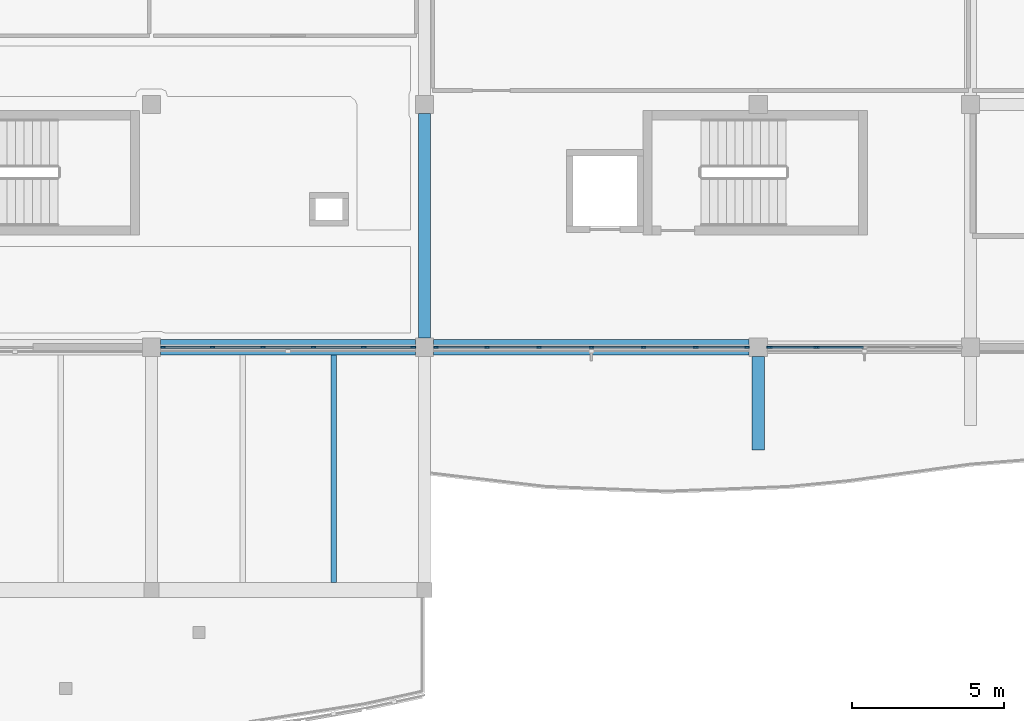
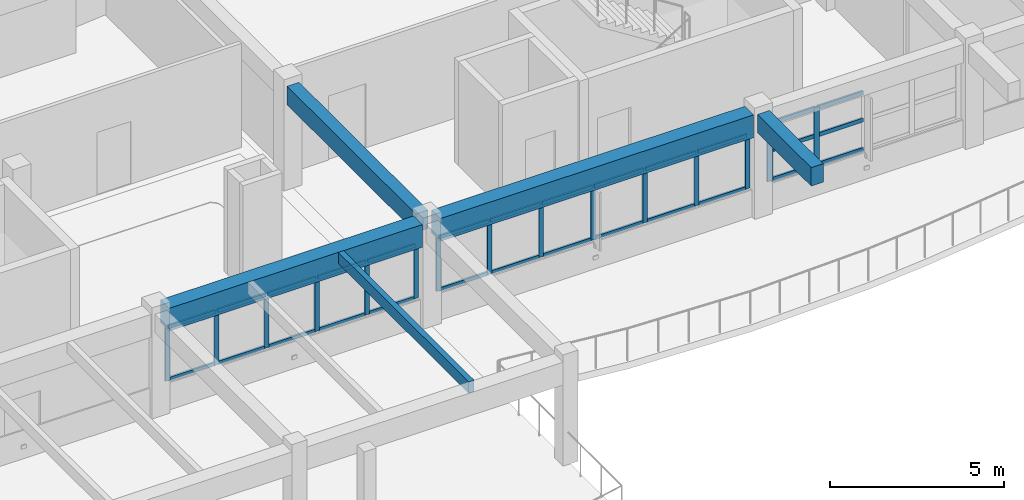
# One storey, part 25 of 89: 43 members, 5 beams, 3 elements without a shape of their own.
"""IFC4 building model written with IfcOpenShell, lengths in metres."""

from ifc_helpers import new_model, si_unit, direction, frame, origin, origin_2d, place, context, subcontext, project, spatial, rectangle, extrude, material, layer, layer_set, material_profile, profile_set, type_object, element, aggregate, save


model = new_model("IFC4")

# Units and contexts
model_context = context("Model", 3, precision=1e-05, world=origin(), true_north=direction((0.0, 1.0)))
body_context = subcontext(model_context, "Body", "Model", "MODEL_VIEW")
ifc_project = project(units=[si_unit("LENGTHUNIT", "METRE"), si_unit("AREAUNIT", "SQUARE_METRE"), si_unit("VOLUMEUNIT", "CUBIC_METRE"), si_unit("PLANEANGLEUNIT", "RADIAN"), si_unit("MASSUNIT", "GRAM", prefix="KILO")], contexts=[model_context])

# Site, building, storey
site_placement = place(None, origin())
site = spatial("IfcSite", under=ifc_project, at=site_placement, CompositionType="ELEMENT")
building_placement = place(site_placement, origin())
building = spatial("IfcBuilding", under=site, at=building_placement, Name="Tonlespit Floodbar School", CompositionType="ELEMENT")
storey_placement = place(building_placement, frame((0.0, 0.0, 4.5)))
storey = spatial("IfcBuildingStorey", under=building, at=storey_placement, Name="L01", CompositionType="ELEMENT", Elevation=4.5)

# Beams
ifc_material_1 = material(Name="Concrete C40/50", Category="concrete")
ifc_material_profile_1 = material_profile(ifc_material_1, rectangle(XDim=0.39990234375, YDim=0.64990234375, at=origin_2d()), Name="RC 400x650")
ifc_profile_set_1 = profile_set([ifc_material_profile_1], Name="Concrete C40/50")
beam_type_1 = type_object("IfcBeamType", Name="Beam_RC_400x650", PredefinedType="BEAM", material=ifc_profile_set_1)
beam_1_placement = place(storey_placement, frame((116.0, 104.300048828125, 3.320068359375), z_axis=(0.0, 1.0, 0.0), x_axis=(-1.0, 0.0, 0.0)))
element("IfcBeam", 1, at=beam_1_placement, inside=storey, type_object=beam_type_1, Name="L01 girder 0744", PredefinedType="BEAM", context=body_context, shape_type="SweptSolid", body=[
    extrude(rectangle(XDim=0.39990234375, YDim=0.64990234375, at=origin_2d()), origin(), (0.0, 0.0, 1.0), 7.39990234375),
])
beam_2_placement = place(storey_placement, frame((127.0, 103.699951171875, 3.3310546875), z_axis=(0.0, -1.0, 0.0), x_axis=(1.0, 0.0, 0.0)))
element("IfcBeam", 2, at=beam_2_placement, inside=storey, type_object=beam_type_1, Name="L01 V4 south court gallery rib", PredefinedType="BEAM", context=body_context, shape_type="SweptSolid", body=[
    extrude(rectangle(XDim=0.39990234375, YDim=0.64990234375, at=origin_2d()), origin(), (0.0, 0.0, 1.0), 3.08251953125),
])
ifc_material_profile_2 = material_profile(ifc_material_1, rectangle(XDim=0.5, YDim=0.800048828125, at=origin_2d()), Name="RC 500x800")
ifc_profile_set_2 = profile_set([ifc_material_profile_2], Name="Concrete C40/50")
beam_type_2 = type_object("IfcBeamType", Name="Beam_RC_500x800", PredefinedType="BEAM", material=ifc_profile_set_2)
beam_3_placement = place(storey_placement, frame((107.300048828125, 104.0, 3.2451171875), z_axis=(1.0, 0.0, 0.0), x_axis=(0.0, 1.0, 0.0)))
element("IfcBeam", 3, at=beam_3_placement, inside=storey, type_object=beam_type_2, Name="L01 girder 0636", PredefinedType="BEAM", context=body_context, shape_type="SweptSolid", body=[
    extrude(rectangle(XDim=0.5, YDim=0.800048828125, at=origin_2d()), origin(), (0.0, 0.0, 1.0), 8.39990234375),
])
beam_4_placement = place(storey_placement, frame((116.300048828125, 104.0, 3.2451171875), z_axis=(1.0, 0.0, 0.0), x_axis=(0.0, 1.0, 0.0)))
element("IfcBeam", 4, at=beam_4_placement, inside=storey, type_object=beam_type_2, Name="L01 girder 0637", PredefinedType="BEAM", context=body_context, shape_type="SweptSolid", body=[
    extrude(rectangle(XDim=0.5, YDim=0.800048828125, at=origin_2d()), origin(), (0.0, 0.0, 1.0), 10.39990234375),
])

# Curtain wall, members
ifc_material_2 = material(Name="Anodised Aluminium", Category="aluminium")
ifc_layer_1 = layer(ifc_material_2, 0.159912109375)
ifc_layer_set_1 = layer_set([ifc_layer_1], Name="Anodised Aluminium")
curtain_wall_type_1 = type_object("IfcCurtainWallType", Name="CurtainWall_8300x1900", PredefinedType="NOTDEFINED", material=ifc_layer_set_1)
curtain_wall_1_placement = place(storey_placement, origin())
curtain_wall_1 = element("IfcCurtainWall", 5, at=curtain_wall_1_placement, inside=storey, type_object=curtain_wall_type_1, Name="L01 unitised curtain wall 0076", PredefinedType="NOTDEFINED")
ifc_material_profile_3 = material_profile(ifc_material_2, rectangle(XDim=0.06494140625, YDim=0.14990234375, at=origin_2d()), Name="ALU M65x150")
ifc_profile_set_3 = profile_set([ifc_material_profile_3], Name="Anodised Aluminium")
member_type_1 = type_object("IfcMemberType", Name="CW_Mullion_65x150", PredefinedType="MULLION", material=ifc_profile_set_3)
member_1_placement = place(storey_placement, frame((115.62744140625, 104.0, 0.949951171875), z_axis=(0.0, 0.0, 1.0), x_axis=(0.0, -1.0, 0.0)))
member_1 = element("IfcMember", 6, at=member_1_placement, type_object=member_type_1, Name="CW-06 mullion 1", PredefinedType="MULLION", context=body_context, shape_type="SweptSolid", body=[
    extrude(rectangle(XDim=0.06494140625, YDim=0.14990234375, at=origin_2d()), origin(), (0.0, 0.0, 1.0), 1.89501953125),
])
member_2_placement = place(storey_placement, frame((113.99609375, 104.0, 0.949951171875), z_axis=(0.0, 0.0, 1.0), x_axis=(0.0, -1.0, 0.0)))
member_2 = element("IfcMember", 7, at=member_2_placement, type_object=member_type_1, Name="CW-06 mullion 2", PredefinedType="MULLION", context=body_context, shape_type="SweptSolid", body=[
    extrude(rectangle(XDim=0.06494140625, YDim=0.14990234375, at=origin_2d()), origin(), (0.0, 0.0, 1.0), 1.89501953125),
])
member_3_placement = place(storey_placement, frame((112.33203125, 104.0, 0.949951171875), z_axis=(0.0, 0.0, 1.0), x_axis=(0.0, -1.0, 0.0)))
member_3 = element("IfcMember", 8, at=member_3_placement, type_object=member_type_1, Name="CW-06 mullion 3", PredefinedType="MULLION", context=body_context, shape_type="SweptSolid", body=[
    extrude(rectangle(XDim=0.06494140625, YDim=0.14990234375, at=origin_2d()), origin(), (0.0, 0.0, 1.0), 1.89501953125),
])
member_4_placement = place(storey_placement, frame((110.66796875, 104.0, 0.949951171875), z_axis=(0.0, 0.0, 1.0), x_axis=(0.0, -1.0, 0.0)))
member_4 = element("IfcMember", 9, at=member_4_placement, type_object=member_type_1, Name="CW-06 mullion 4", PredefinedType="MULLION", context=body_context, shape_type="SweptSolid", body=[
    extrude(rectangle(XDim=0.06494140625, YDim=0.14990234375, at=origin_2d()), origin(), (0.0, 0.0, 1.0), 1.89501953125),
])
member_5_placement = place(storey_placement, frame((109.00390625, 104.0, 0.949951171875), z_axis=(0.0, 0.0, 1.0), x_axis=(0.0, -1.0, 0.0)))
member_5 = element("IfcMember", 10, at=member_5_placement, type_object=member_type_1, Name="CW-06 mullion 5", PredefinedType="MULLION", context=body_context, shape_type="SweptSolid", body=[
    extrude(rectangle(XDim=0.06494140625, YDim=0.14990234375, at=origin_2d()), origin(), (0.0, 0.0, 1.0), 1.89501953125),
])
member_6_placement = place(storey_placement, frame((107.37255859375, 104.0, 0.949951171875), z_axis=(0.0, 0.0, 1.0), x_axis=(0.0, -1.0, 0.0)))
member_6 = element("IfcMember", 11, at=member_6_placement, type_object=member_type_1, Name="CW-06 mullion 6", PredefinedType="MULLION", context=body_context, shape_type="SweptSolid", body=[
    extrude(rectangle(XDim=0.06494140625, YDim=0.14990234375, at=origin_2d()), origin(), (0.0, 0.0, 1.0), 1.89501953125),
])

ifc_layer_2 = layer(ifc_material_2, 0.159912109375)
ifc_layer_set_2 = layer_set([ifc_layer_2], Name="Anodised Aluminium")
curtain_wall_type_2 = type_object("IfcCurtainWallType", Name="CurtainWall_10300x1900", PredefinedType="NOTDEFINED", material=ifc_layer_set_2)
curtain_wall_2_placement = place(storey_placement, origin())
curtain_wall_2 = element("IfcCurtainWall", 12, at=curtain_wall_2_placement, inside=storey, type_object=curtain_wall_type_2, Name="L01 unitised curtain wall 0410", PredefinedType="NOTDEFINED")
member_7_placement = place(storey_placement, frame((126.62744140625, 104.0, 0.949951171875), z_axis=(0.0, 0.0, 1.0), x_axis=(0.0, -1.0, 0.0)))
member_7 = element("IfcMember", 13, at=member_7_placement, type_object=member_type_1, Name="CW-62 mullion 1", PredefinedType="MULLION", context=body_context, shape_type="SweptSolid", body=[
    extrude(rectangle(XDim=0.06494140625, YDim=0.14990234375, at=origin_2d()), origin(), (0.0, 0.0, 1.0), 1.89501953125),
])
member_8_placement = place(storey_placement, frame((124.93994140625, 104.0, 0.949951171875), z_axis=(0.0, 0.0, 1.0), x_axis=(0.0, -1.0, 0.0)))
member_8 = element("IfcMember", 14, at=member_8_placement, type_object=member_type_1, Name="CW-62 mullion 2", PredefinedType="MULLION", context=body_context, shape_type="SweptSolid", body=[
    extrude(rectangle(XDim=0.06494140625, YDim=0.14990234375, at=origin_2d()), origin(), (0.0, 0.0, 1.0), 1.89501953125),
])
member_9_placement = place(storey_placement, frame((123.219970703125, 104.0, 0.949951171875), z_axis=(0.0, 0.0, 1.0), x_axis=(0.0, -1.0, 0.0)))
member_9 = element("IfcMember", 15, at=member_9_placement, type_object=member_type_1, Name="CW-62 mullion 3", PredefinedType="MULLION", context=body_context, shape_type="SweptSolid", body=[
    extrude(rectangle(XDim=0.06494140625, YDim=0.14990234375, at=origin_2d()), origin(), (0.0, 0.0, 1.0), 1.89501953125),
])
member_10_placement = place(storey_placement, frame((121.5, 104.0, 0.949951171875), z_axis=(0.0, 0.0, 1.0), x_axis=(0.0, -1.0, 0.0)))
member_10 = element("IfcMember", 16, at=member_10_placement, type_object=member_type_1, Name="CW-62 mullion 4", PredefinedType="MULLION", context=body_context, shape_type="SweptSolid", body=[
    extrude(rectangle(XDim=0.06494140625, YDim=0.14990234375, at=origin_2d()), origin(), (0.0, 0.0, 1.0), 1.89501953125),
])
member_11_placement = place(storey_placement, frame((119.780029296875, 104.0, 0.949951171875), z_axis=(0.0, 0.0, 1.0), x_axis=(0.0, -1.0, 0.0)))
member_11 = element("IfcMember", 17, at=member_11_placement, type_object=member_type_1, Name="CW-62 mullion 5", PredefinedType="MULLION", context=body_context, shape_type="SweptSolid", body=[
    extrude(rectangle(XDim=0.06494140625, YDim=0.14990234375, at=origin_2d()), origin(), (0.0, 0.0, 1.0), 1.89501953125),
])
member_12_placement = place(storey_placement, frame((118.06005859375, 104.0, 0.949951171875), z_axis=(0.0, 0.0, 1.0), x_axis=(0.0, -1.0, 0.0)))
member_12 = element("IfcMember", 18, at=member_12_placement, type_object=member_type_1, Name="CW-62 mullion 6", PredefinedType="MULLION", context=body_context, shape_type="SweptSolid", body=[
    extrude(rectangle(XDim=0.06494140625, YDim=0.14990234375, at=origin_2d()), origin(), (0.0, 0.0, 1.0), 1.89501953125),
])
member_13_placement = place(storey_placement, frame((116.37255859375, 104.0, 0.949951171875), z_axis=(0.0, 0.0, 1.0), x_axis=(0.0, -1.0, 0.0)))
member_13 = element("IfcMember", 19, at=member_13_placement, type_object=member_type_1, Name="CW-62 mullion 7", PredefinedType="MULLION", context=body_context, shape_type="SweptSolid", body=[
    extrude(rectangle(XDim=0.06494140625, YDim=0.14990234375, at=origin_2d()), origin(), (0.0, 0.0, 1.0), 1.89501953125),
])

ifc_layer_3 = layer(ifc_material_2, 0.159912109375)
ifc_layer_set_3 = layer_set([ifc_layer_3], Name="Anodised Aluminium")
curtain_wall_type_3 = type_object("IfcCurtainWallType", Name="CurtainWall_6300x2050", PredefinedType="NOTDEFINED", material=ifc_layer_set_3)
curtain_wall_3_placement = place(storey_placement, origin())
curtain_wall_3 = element("IfcCurtainWall", 20, at=curtain_wall_3_placement, inside=storey, type_object=curtain_wall_type_3, Name="L01 unitised curtain wall 0409", PredefinedType="NOTDEFINED")
ifc_material_profile_4 = material_profile(ifc_material_2, rectangle(XDim=0.06494140625, YDim=0.179931640625, at=origin_2d()), Name="ALU M65x180")
ifc_profile_set_4 = profile_set([ifc_material_profile_4], Name="Anodised Aluminium")
member_type_2 = type_object("IfcMemberType", Name="CW_Mullion_65x180", PredefinedType="MULLION", material=ifc_profile_set_4)
member_14_placement = place(storey_placement, frame((128.919921875, 104.0, 0.949951171875), z_axis=(0.0, 0.0, 1.0), x_axis=(0.0, -1.0, 0.0)))
member_14 = element("IfcMember", 21, at=member_14_placement, type_object=member_type_2, Name="CW-61 mullion 4", PredefinedType="MULLION", context=body_context, shape_type="SweptSolid", body=[
    extrude(rectangle(XDim=0.06494140625, YDim=0.179931640625, at=origin_2d()), origin(), (0.0, 0.0, 1.0), 2.045166015625),
])
member_15_placement = place(storey_placement, frame((127.37255859375, 104.0, 0.949951171875), z_axis=(0.0, 0.0, 1.0), x_axis=(0.0, -1.0, 0.0)))
member_15 = element("IfcMember", 22, at=member_15_placement, type_object=member_type_2, Name="CW-61 mullion 5", PredefinedType="MULLION", context=body_context, shape_type="SweptSolid", body=[
    extrude(rectangle(XDim=0.06494140625, YDim=0.179931640625, at=origin_2d()), origin(), (0.0, 0.0, 1.0), 2.045166015625),
])

# Member
ifc_material_profile_5 = material_profile(ifc_material_2, rectangle(XDim=0.06494140625, YDim=0.1201171875, at=origin_2d()), Name="ALU T65x120")
ifc_profile_set_5 = profile_set([ifc_material_profile_5], Name="Anodised Aluminium")
member_type_3 = type_object("IfcMemberType", Name="CW_Transom_65x120", PredefinedType="USERDEFINED", material=ifc_profile_set_5)
member_16_placement = place(storey_placement, frame((115.594970703125, 104.0, 0.982421875), z_axis=(-1.0, 0.0, 0.0), x_axis=(0.0, -1.0, 0.0)))
member_16 = element("IfcMember", 23, at=member_16_placement, type_object=member_type_3, Name="CW-06 transom 1.1", ObjectType="TRANSOM", PredefinedType="USERDEFINED", context=body_context, shape_type="SweptSolid", body=[
    extrude(rectangle(XDim=0.06494140625, YDim=0.1201171875, at=origin_2d()), origin(), (0.0, 0.0, 1.0), 1.56640625),
])

member_17_placement = place(storey_placement, frame((115.594970703125, 104.0, 2.8125), z_axis=(-1.0, 0.0, 0.0), x_axis=(0.0, -1.0, 0.0)))
member_17 = element("IfcMember", 24, at=member_17_placement, type_object=member_type_3, Name="CW-06 transom 1.2", ObjectType="TRANSOM", PredefinedType="USERDEFINED", context=body_context, shape_type="SweptSolid", body=[
    extrude(rectangle(XDim=0.06494140625, YDim=0.1201171875, at=origin_2d()), origin(), (0.0, 0.0, 1.0), 1.56640625),
])

member_18_placement = place(storey_placement, frame((113.96337890625, 104.0, 0.982421875), z_axis=(-1.0, 0.0, 0.0), x_axis=(0.0, -1.0, 0.0)))
member_18 = element("IfcMember", 25, at=member_18_placement, type_object=member_type_3, Name="CW-06 transom 2.1", ObjectType="TRANSOM", PredefinedType="USERDEFINED", context=body_context, shape_type="SweptSolid", body=[
    extrude(rectangle(XDim=0.06494140625, YDim=0.1201171875, at=origin_2d()), origin(), (0.0, 0.0, 1.0), 1.598876953125),
])

member_19_placement = place(storey_placement, frame((113.96337890625, 104.0, 2.8125), z_axis=(-1.0, 0.0, 0.0), x_axis=(0.0, -1.0, 0.0)))
member_19 = element("IfcMember", 26, at=member_19_placement, type_object=member_type_3, Name="CW-06 transom 2.2", ObjectType="TRANSOM", PredefinedType="USERDEFINED", context=body_context, shape_type="SweptSolid", body=[
    extrude(rectangle(XDim=0.06494140625, YDim=0.1201171875, at=origin_2d()), origin(), (0.0, 0.0, 1.0), 1.598876953125),
])

member_20_placement = place(storey_placement, frame((112.299560546875, 104.0, 0.982421875), z_axis=(-1.0, 0.0, 0.0), x_axis=(0.0, -1.0, 0.0)))
member_20 = element("IfcMember", 27, at=member_20_placement, type_object=member_type_3, Name="CW-06 transom 3.1", ObjectType="TRANSOM", PredefinedType="USERDEFINED", context=body_context, shape_type="SweptSolid", body=[
    extrude(rectangle(XDim=0.06494140625, YDim=0.1201171875, at=origin_2d()), origin(), (0.0, 0.0, 1.0), 1.59912109375),
])

member_21_placement = place(storey_placement, frame((112.299560546875, 104.0, 2.8125), z_axis=(-1.0, 0.0, 0.0), x_axis=(0.0, -1.0, 0.0)))
member_21 = element("IfcMember", 28, at=member_21_placement, type_object=member_type_3, Name="CW-06 transom 3.2", ObjectType="TRANSOM", PredefinedType="USERDEFINED", context=body_context, shape_type="SweptSolid", body=[
    extrude(rectangle(XDim=0.06494140625, YDim=0.1201171875, at=origin_2d()), origin(), (0.0, 0.0, 1.0), 1.59912109375),
])

member_22_placement = place(storey_placement, frame((110.635498046875, 104.0, 0.982421875), z_axis=(-1.0, 0.0, 0.0), x_axis=(0.0, -1.0, 0.0)))
member_22 = element("IfcMember", 29, at=member_22_placement, type_object=member_type_3, Name="CW-06 transom 4.1", ObjectType="TRANSOM", PredefinedType="USERDEFINED", context=body_context, shape_type="SweptSolid", body=[
    extrude(rectangle(XDim=0.06494140625, YDim=0.1201171875, at=origin_2d()), origin(), (0.0, 0.0, 1.0), 1.598876953125),
])

member_23_placement = place(storey_placement, frame((110.635498046875, 104.0, 2.8125), z_axis=(-1.0, 0.0, 0.0), x_axis=(0.0, -1.0, 0.0)))
member_23 = element("IfcMember", 30, at=member_23_placement, type_object=member_type_3, Name="CW-06 transom 4.2", ObjectType="TRANSOM", PredefinedType="USERDEFINED", context=body_context, shape_type="SweptSolid", body=[
    extrude(rectangle(XDim=0.06494140625, YDim=0.1201171875, at=origin_2d()), origin(), (0.0, 0.0, 1.0), 1.598876953125),
])

member_24_placement = place(storey_placement, frame((108.971435546875, 104.0, 0.982421875), z_axis=(-1.0, 0.0, 0.0), x_axis=(0.0, -1.0, 0.0)))
member_24 = element("IfcMember", 31, at=member_24_placement, type_object=member_type_3, Name="CW-06 transom 5.1", ObjectType="TRANSOM", PredefinedType="USERDEFINED", context=body_context, shape_type="SweptSolid", body=[
    extrude(rectangle(XDim=0.06494140625, YDim=0.1201171875, at=origin_2d()), origin(), (0.0, 0.0, 1.0), 1.56640625),
])

member_25_placement = place(storey_placement, frame((108.971435546875, 104.0, 2.8125), z_axis=(-1.0, 0.0, 0.0), x_axis=(0.0, -1.0, 0.0)))
member_25 = element("IfcMember", 32, at=member_25_placement, type_object=member_type_3, Name="CW-06 transom 5.2", ObjectType="TRANSOM", PredefinedType="USERDEFINED", context=body_context, shape_type="SweptSolid", body=[
    extrude(rectangle(XDim=0.06494140625, YDim=0.1201171875, at=origin_2d()), origin(), (0.0, 0.0, 1.0), 1.56640625),
])

aggregate(curtain_wall_1, [member_1, member_2, member_3, member_4, member_5, member_6, member_16, member_17, member_18, member_19, member_20, member_21, member_22, member_23, member_24, member_25])

member_26_placement = place(storey_placement, frame((126.594970703125, 104.0, 0.982421875), z_axis=(-1.0, 0.0, 0.0), x_axis=(0.0, -1.0, 0.0)))
member_26 = element("IfcMember", 33, at=member_26_placement, type_object=member_type_3, Name="CW-62 transom 1.1", ObjectType="TRANSOM", PredefinedType="USERDEFINED", context=body_context, shape_type="SweptSolid", body=[
    extrude(rectangle(XDim=0.06494140625, YDim=0.1201171875, at=origin_2d()), origin(), (0.0, 0.0, 1.0), 1.62255859375),
])

member_27_placement = place(storey_placement, frame((126.594970703125, 104.0, 2.8125), z_axis=(-1.0, 0.0, 0.0), x_axis=(0.0, -1.0, 0.0)))
member_27 = element("IfcMember", 34, at=member_27_placement, type_object=member_type_3, Name="CW-62 transom 1.2", ObjectType="TRANSOM", PredefinedType="USERDEFINED", context=body_context, shape_type="SweptSolid", body=[
    extrude(rectangle(XDim=0.06494140625, YDim=0.1201171875, at=origin_2d()), origin(), (0.0, 0.0, 1.0), 1.62255859375),
])

member_28_placement = place(storey_placement, frame((124.907470703125, 104.0, 0.982421875), z_axis=(-1.0, 0.0, 0.0), x_axis=(0.0, -1.0, 0.0)))
member_28 = element("IfcMember", 35, at=member_28_placement, type_object=member_type_3, Name="CW-62 transom 2.1", ObjectType="TRANSOM", PredefinedType="USERDEFINED", context=body_context, shape_type="SweptSolid", body=[
    extrude(rectangle(XDim=0.06494140625, YDim=0.1201171875, at=origin_2d()), origin(), (0.0, 0.0, 1.0), 1.655029296875),
])

member_29_placement = place(storey_placement, frame((124.907470703125, 104.0, 2.8125), z_axis=(-1.0, 0.0, 0.0), x_axis=(0.0, -1.0, 0.0)))
member_29 = element("IfcMember", 36, at=member_29_placement, type_object=member_type_3, Name="CW-62 transom 2.2", ObjectType="TRANSOM", PredefinedType="USERDEFINED", context=body_context, shape_type="SweptSolid", body=[
    extrude(rectangle(XDim=0.06494140625, YDim=0.1201171875, at=origin_2d()), origin(), (0.0, 0.0, 1.0), 1.655029296875),
])

member_30_placement = place(storey_placement, frame((123.1875, 104.0, 0.982421875), z_axis=(-1.0, 0.0, 0.0), x_axis=(0.0, -1.0, 0.0)))
member_30 = element("IfcMember", 37, at=member_30_placement, type_object=member_type_3, Name="CW-62 transom 3.1", ObjectType="TRANSOM", PredefinedType="USERDEFINED", context=body_context, shape_type="SweptSolid", body=[
    extrude(rectangle(XDim=0.06494140625, YDim=0.1201171875, at=origin_2d()), origin(), (0.0, 0.0, 1.0), 1.655029296875),
])

member_31_placement = place(storey_placement, frame((123.1875, 104.0, 2.8125), z_axis=(-1.0, 0.0, 0.0), x_axis=(0.0, -1.0, 0.0)))
member_31 = element("IfcMember", 38, at=member_31_placement, type_object=member_type_3, Name="CW-62 transom 3.2", ObjectType="TRANSOM", PredefinedType="USERDEFINED", context=body_context, shape_type="SweptSolid", body=[
    extrude(rectangle(XDim=0.06494140625, YDim=0.1201171875, at=origin_2d()), origin(), (0.0, 0.0, 1.0), 1.655029296875),
])

member_32_placement = place(storey_placement, frame((121.467529296875, 104.0, 0.982421875), z_axis=(-1.0, 0.0, 0.0), x_axis=(0.0, -1.0, 0.0)))
member_32 = element("IfcMember", 39, at=member_32_placement, type_object=member_type_3, Name="CW-62 transom 4.1", ObjectType="TRANSOM", PredefinedType="USERDEFINED", context=body_context, shape_type="SweptSolid", body=[
    extrude(rectangle(XDim=0.06494140625, YDim=0.1201171875, at=origin_2d()), origin(), (0.0, 0.0, 1.0), 1.655029296875),
])

member_33_placement = place(storey_placement, frame((121.467529296875, 104.0, 2.8125), z_axis=(-1.0, 0.0, 0.0), x_axis=(0.0, -1.0, 0.0)))
member_33 = element("IfcMember", 40, at=member_33_placement, type_object=member_type_3, Name="CW-62 transom 4.2", ObjectType="TRANSOM", PredefinedType="USERDEFINED", context=body_context, shape_type="SweptSolid", body=[
    extrude(rectangle(XDim=0.06494140625, YDim=0.1201171875, at=origin_2d()), origin(), (0.0, 0.0, 1.0), 1.655029296875),
])

member_34_placement = place(storey_placement, frame((119.74755859375, 104.0, 0.982421875), z_axis=(-1.0, 0.0, 0.0), x_axis=(0.0, -1.0, 0.0)))
member_34 = element("IfcMember", 41, at=member_34_placement, type_object=member_type_3, Name="CW-62 transom 5.1", ObjectType="TRANSOM", PredefinedType="USERDEFINED", context=body_context, shape_type="SweptSolid", body=[
    extrude(rectangle(XDim=0.06494140625, YDim=0.1201171875, at=origin_2d()), origin(), (0.0, 0.0, 1.0), 1.655029296875),
])

member_35_placement = place(storey_placement, frame((119.74755859375, 104.0, 2.8125), z_axis=(-1.0, 0.0, 0.0), x_axis=(0.0, -1.0, 0.0)))
member_35 = element("IfcMember", 42, at=member_35_placement, type_object=member_type_3, Name="CW-62 transom 5.2", ObjectType="TRANSOM", PredefinedType="USERDEFINED", context=body_context, shape_type="SweptSolid", body=[
    extrude(rectangle(XDim=0.06494140625, YDim=0.1201171875, at=origin_2d()), origin(), (0.0, 0.0, 1.0), 1.655029296875),
])

member_36_placement = place(storey_placement, frame((118.027587890625, 104.0, 0.982421875), z_axis=(-1.0, 0.0, 0.0), x_axis=(0.0, -1.0, 0.0)))
member_36 = element("IfcMember", 43, at=member_36_placement, type_object=member_type_3, Name="CW-62 transom 6.1", ObjectType="TRANSOM", PredefinedType="USERDEFINED", context=body_context, shape_type="SweptSolid", body=[
    extrude(rectangle(XDim=0.06494140625, YDim=0.1201171875, at=origin_2d()), origin(), (0.0, 0.0, 1.0), 1.62255859375),
])

member_37_placement = place(storey_placement, frame((118.027587890625, 104.0, 2.8125), z_axis=(-1.0, 0.0, 0.0), x_axis=(0.0, -1.0, 0.0)))
member_37 = element("IfcMember", 44, at=member_37_placement, type_object=member_type_3, Name="CW-62 transom 6.2", ObjectType="TRANSOM", PredefinedType="USERDEFINED", context=body_context, shape_type="SweptSolid", body=[
    extrude(rectangle(XDim=0.06494140625, YDim=0.1201171875, at=origin_2d()), origin(), (0.0, 0.0, 1.0), 1.62255859375),
])

aggregate(curtain_wall_2, [member_7, member_8, member_9, member_10, member_11, member_12, member_13, member_26, member_27, member_28, member_29, member_30, member_31, member_32, member_33, member_34, member_35, member_36, member_37])

ifc_material_profile_6 = material_profile(ifc_material_2, rectangle(XDim=0.06494140625, YDim=0.139892578125, at=origin_2d()), Name="ALU T65x140")
ifc_profile_set_6 = profile_set([ifc_material_profile_6], Name="Anodised Aluminium")
member_type_4 = type_object("IfcMemberType", Name="CW_Transom_65x140", PredefinedType="USERDEFINED", material=ifc_profile_set_6)
member_38_placement = place(storey_placement, frame((130.467529296875, 104.0, 0.982421875), z_axis=(-1.0, 0.0, 0.0), x_axis=(0.0, -1.0, 0.0)))
member_38 = element("IfcMember", 45, at=member_38_placement, type_object=member_type_4, Name="CW-61 transom 3.1", ObjectType="TRANSOM", PredefinedType="USERDEFINED", context=body_context, shape_type="SweptSolid", body=[
    extrude(rectangle(XDim=0.06494140625, YDim=0.139892578125, at=origin_2d()), origin(), (0.0, 0.0, 1.0), 1.51513671875),
])

member_39_placement = place(storey_placement, frame((130.467529296875, 104.0, 2.013427734375), z_axis=(-1.0, 0.0, 0.0), x_axis=(0.0, -1.0, 0.0)))
member_39 = element("IfcMember", 46, at=member_39_placement, type_object=member_type_4, Name="CW-61 transom 3.2", ObjectType="TRANSOM", PredefinedType="USERDEFINED", context=body_context, shape_type="SweptSolid", body=[
    extrude(rectangle(XDim=0.06494140625, YDim=0.139892578125, at=origin_2d()), origin(), (0.0, 0.0, 1.0), 1.51513671875),
])

member_40_placement = place(storey_placement, frame((130.467529296875, 104.0, 2.96240234375), z_axis=(-1.0, 0.0, 0.0), x_axis=(0.0, -1.0, 0.0)))
member_40 = element("IfcMember", 47, at=member_40_placement, type_object=member_type_4, Name="CW-61 transom 3.3", ObjectType="TRANSOM", PredefinedType="USERDEFINED", context=body_context, shape_type="SweptSolid", body=[
    extrude(rectangle(XDim=0.06494140625, YDim=0.139892578125, at=origin_2d()), origin(), (0.0, 0.0, 1.0), 1.51513671875),
])

member_41_placement = place(storey_placement, frame((128.887451171875, 104.0, 0.982421875), z_axis=(-1.0, 0.0, 0.0), x_axis=(0.0, -1.0, 0.0)))
member_41 = element("IfcMember", 48, at=member_41_placement, type_object=member_type_4, Name="CW-61 transom 4.1", ObjectType="TRANSOM", PredefinedType="USERDEFINED", context=body_context, shape_type="SweptSolid", body=[
    extrude(rectangle(XDim=0.06494140625, YDim=0.139892578125, at=origin_2d()), origin(), (0.0, 0.0, 1.0), 1.482421875),
])

member_42_placement = place(storey_placement, frame((128.887451171875, 104.0, 2.013427734375), z_axis=(-1.0, 0.0, 0.0), x_axis=(0.0, -1.0, 0.0)))
member_42 = element("IfcMember", 49, at=member_42_placement, type_object=member_type_4, Name="CW-61 transom 4.2", ObjectType="TRANSOM", PredefinedType="USERDEFINED", context=body_context, shape_type="SweptSolid", body=[
    extrude(rectangle(XDim=0.06494140625, YDim=0.139892578125, at=origin_2d()), origin(), (0.0, 0.0, 1.0), 1.482421875),
])

member_43_placement = place(storey_placement, frame((128.887451171875, 104.0, 2.96240234375), z_axis=(-1.0, 0.0, 0.0), x_axis=(0.0, -1.0, 0.0)))
member_43 = element("IfcMember", 50, at=member_43_placement, type_object=member_type_4, Name="CW-61 transom 4.3", ObjectType="TRANSOM", PredefinedType="USERDEFINED", context=body_context, shape_type="SweptSolid", body=[
    extrude(rectangle(XDim=0.06494140625, YDim=0.139892578125, at=origin_2d()), origin(), (0.0, 0.0, 1.0), 1.482421875),
])

aggregate(curtain_wall_3, [member_14, member_15, member_38, member_39, member_40, member_41, member_42, member_43])

# Beam
ifc_material_3 = material(Name="Glulam GL28h", Category="wood")
ifc_material_profile_7 = material_profile(ifc_material_3, rectangle(XDim=0.179931640625, YDim=0.39990234375, at=origin_2d()), Name="GL 180x400")
ifc_profile_set_7 = profile_set([ifc_material_profile_7], Name="Glulam GL28h")
beam_type_3 = type_object("IfcBeamType", Name="Joist_GL_180x400", PredefinedType="JOIST", material=ifc_profile_set_7)
beam_5_placement = place(storey_placement, frame((113.0, 96.25, 3.447998046875), z_axis=(0.0, 1.0, 0.0), x_axis=(-1.0, 0.0, 0.0)))
element("IfcBeam", 51, at=beam_5_placement, inside=storey, type_object=beam_type_3, Name="L01 secondary joist 0878", PredefinedType="JOIST", context=body_context, shape_type="SweptSolid", body=[
    extrude(rectangle(XDim=0.179931640625, YDim=0.39990234375, at=origin_2d()), origin(), (0.0, 0.0, 1.0), 7.5),
])

save(model, "model.ifc")
